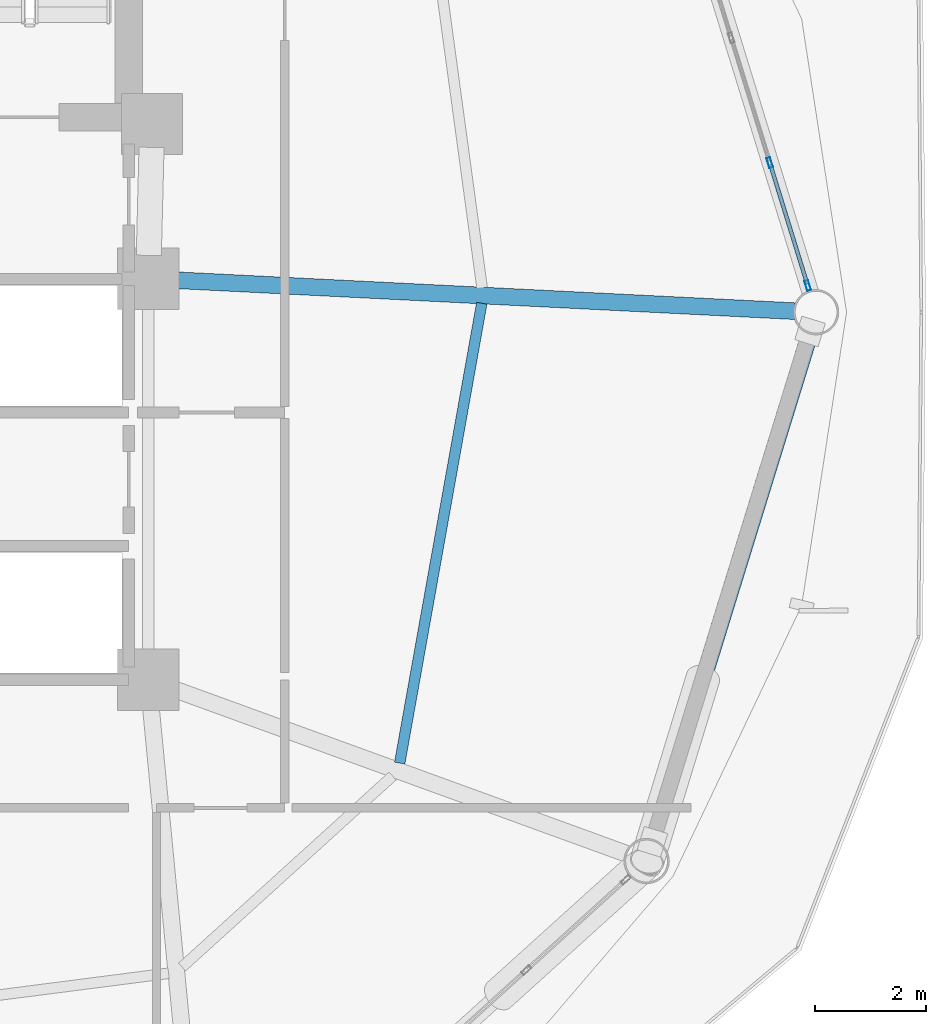
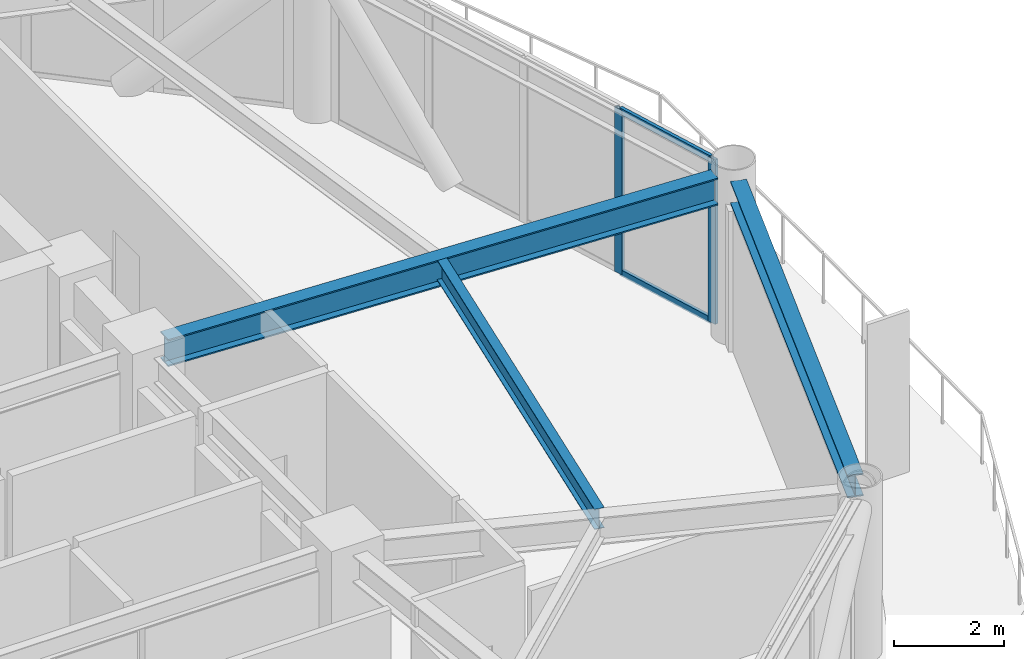
# One storey, part 12 of 23: 4 members, 3 beams, 1 element without a shape of its own.
"""IFC4 building model written with IfcOpenShell, lengths in metres."""

import ifcopenshell
import ifcopenshell.guid

model = None  # the IFC model being written
_history = None  # IfcOwnerHistory: only IFC2X3 demands one
_inside = {}  # id of a spatial element -> (the spatial element, [elements in it])
_under = {}  # id of a project, library or spatial element -> (it, [spatial elements below it])
_declared = {}  # id of a project -> (the project, [libraries it declares])
_typed = {}  # id of a type object -> (the type object, [elements of that type])
_made_of = {}  # id of a material, layer set ... -> (it, [elements and type objects made of it])


def new_model(schema):
    """Start an empty IFC model of exactly this schema.

    Asked for "IFC4X3", IfcOpenShell would pick the latest addendum, in which some entities
    have other attributes; the version numbers below select the first issue.
    IFC2X3 requires an IfcOwnerHistory on every rooted entity: one is made here for all.
    """
    global model, _history
    if schema == "IFC4X3":
        model = ifcopenshell.file(schema_version=(4, 3, 0, 0))
    else:
        model = ifcopenshell.file(schema=schema)
    _inside.clear()
    _under.clear()
    _declared.clear()
    _typed.clear()
    _made_of.clear()
    _history = None
    if model.schema == "IFC2X3":
        org = make("IfcOrganization", Name="unknown")
        user = make(
            "IfcPersonAndOrganization",
            ThePerson=make("IfcPerson", FamilyName="unknown"),
            TheOrganization=org,
        )
        app = make(
            "IfcApplication",
            ApplicationDeveloper=org,
            Version="unknown",
            ApplicationFullName="unknown",
            ApplicationIdentifier="unknown",
        )
        _history = make(
            "IfcOwnerHistory",
            OwningUser=user,
            OwningApplication=app,
            ChangeAction="ADDED",
            CreationDate=0,
        )
    return model


def make(cls, **values):
    """One entity of the class cls with the attributes given. An attribute that is None is left unset."""
    return model.create_entity(
        cls, **{name: value for name, value in values.items() if value is not None}
    )


def rooted(cls, **values):
    """An entity with a GlobalId (a new one), such as an element, a storey or a relation."""
    return make(cls, GlobalId=ifcopenshell.guid.new(), OwnerHistory=_history, **values)


def si_unit(unit_type, name, prefix=None):
    """IfcSIUnit, for example si_unit("LENGTHUNIT", "METRE", prefix="MILLI")."""
    return make("IfcSIUnit", UnitType=unit_type, Prefix=prefix, Name=name)


def assignment(units):
    """IfcUnitAssignment: the units of a project."""
    return None if units is None else make("IfcUnitAssignment", Units=units)


def point(xyz):
    """IfcCartesianPoint."""
    return None if xyz is None else make("IfcCartesianPoint", Coordinates=xyz)


def direction(xyz):
    """IfcDirection."""
    return None if xyz is None else make("IfcDirection", DirectionRatios=xyz)


def frame(location, z_axis=None, x_axis=None):
    """IfcAxis2Placement3D, a coordinate frame: its origin and axes. An axis left out is left unset."""
    return make(
        "IfcAxis2Placement3D",
        Location=point(location),
        Axis=direction(z_axis),
        RefDirection=direction(x_axis),
    )


def frame_2d(location, x_axis=None):
    """IfcAxis2Placement2D, a coordinate frame in the plane: its origin and x axis."""
    return make(
        "IfcAxis2Placement2D", Location=point(location), RefDirection=direction(x_axis)
    )


def origin():
    """The frame at (0, 0, 0) with its axes left unset."""
    return frame((0.0, 0.0, 0.0))


def origin_2d():
    """The frame at (0, 0) in the plane with its x axis left unset."""
    return frame_2d((0.0, 0.0))


def place(relative_to, where):
    """IfcLocalPlacement: puts the frame where relative to a parent placement (None: the world)."""
    return make(
        "IfcLocalPlacement", PlacementRelTo=relative_to, RelativePlacement=where
    )


def context(
    kind, dimensions, precision=None, world=None, true_north=None, identifier=None
):
    """IfcGeometricRepresentationContext, for example the 3D "Model" context."""
    return make(
        "IfcGeometricRepresentationContext",
        ContextIdentifier=identifier,
        ContextType=kind,
        CoordinateSpaceDimension=dimensions,
        Precision=precision,
        WorldCoordinateSystem=world,
        TrueNorth=true_north,
    )


def subcontext(parent, identifier, kind, view, scale=None):
    """IfcGeometricRepresentationSubContext, for example "Body" below "Model"."""
    return make(
        "IfcGeometricRepresentationSubContext",
        ContextIdentifier=identifier,
        ContextType=kind,
        ParentContext=parent,
        TargetScale=scale,
        TargetView=view,
    )


def project(units=None, contexts=None):
    """IfcProject with its units and contexts."""
    return rooted(
        "IfcProject",
        Name="project",
        RepresentationContexts=contexts,
        UnitsInContext=assignment(units),
    )


def spatial(cls, under=None, at=None, **own):
    """A site, building, storey or space (cls), placed at a placement, below another one or the project."""
    s = rooted(cls, ObjectPlacement=at, **own)
    if under is not None:
        _under.setdefault(under.id(), (under, []))[1].append(s)
    return s


def profile(cls, at=None, kind="AREA", **sizes):
    """A parametric profile (cls). Its sizes go by their IFC names, for example OverallWidth=200.0."""
    return make(cls, ProfileType=kind, Position=at, **sizes)


def hollow_rectangle(**sizes):
    """IfcRectangleHollowProfileDef."""
    return profile("IfcRectangleHollowProfileDef", **sizes)


def i_section(**sizes):
    """IfcIShapeProfileDef."""
    return profile("IfcIShapeProfileDef", **sizes)


def extrude(swept, where, along, depth):
    """IfcExtrudedAreaSolid: the profile swept, set in the frame where, extruded along a direction by depth."""
    return make(
        "IfcExtrudedAreaSolid",
        SweptArea=swept,
        Position=where,
        ExtrudedDirection=direction(along),
        Depth=depth,
    )


def shape(context_of_items, identifier, shape_type, items):
    """IfcShapeRepresentation: the items that make up one representation, for example the "Body"."""
    return make(
        "IfcShapeRepresentation",
        ContextOfItems=context_of_items,
        RepresentationIdentifier=identifier,
        RepresentationType=shape_type,
        Items=items,
    )


def material(Name=None, Category=None):
    """IfcMaterial."""
    return make("IfcMaterial", Name=Name, Category=Category)


def layer(
    of_material, thickness, ventilated=None, Name=None, Category=None, Priority=None
):
    """IfcMaterialLayer: one layer of a wall or slab, of a material (None: an air gap)."""
    return make(
        "IfcMaterialLayer",
        Material=of_material,
        LayerThickness=thickness,
        IsVentilated=ventilated,
        Name=Name,
        Category=Category,
        Priority=Priority,
    )


def layer_set(layers, Name=None):
    """IfcMaterialLayerSet."""
    return make("IfcMaterialLayerSet", MaterialLayers=layers, LayerSetName=Name)


def material_profile(
    of_material, cross_section, Name=None, Category=None, Priority=None
):
    """IfcMaterialProfile: a cross section and its material."""
    return make(
        "IfcMaterialProfile",
        Name=Name,
        Material=of_material,
        Profile=cross_section,
        Priority=Priority,
        Category=Category,
    )


def profile_set(profiles, Name=None, composite=None):
    """IfcMaterialProfileSet."""
    return make(
        "IfcMaterialProfileSet",
        Name=Name,
        MaterialProfiles=profiles,
        CompositeProfile=composite,
    )


def made_of(thing, what):
    """Note that an element or type object is made of a material, layer set ...; save() writes the relation."""
    if what is not None:
        _made_of.setdefault(what.id(), (what, []))[1].append(thing)
    return thing


def type_object(cls, material=None, **own):
    """A type object (cls), such as IfcWallType, which elements share."""
    return made_of(rooted(cls, **own), material)


def element(
    cls,
    number,
    at=None,
    inside=None,
    cuts=None,
    type_object=None,
    material=None,
    context=None,
    identifier="Body",
    shape_type=None,
    held_by="IfcProductDefinitionShape",
    body=None,
    shapes=None,
    **own,
):
    """One element of the class cls, such as IfcWall. Its Tag is "e" and its number.

    at: its placement. inside: the storey or other place that contains it. cuts: it is an
    opening in that element (IfcRelVoidsElement). A single representation is given by context,
    identifier, shape_type and body (its items); several are given by shapes. held_by: the class
    of the entity that holds the representations. save() writes the other relations.
    """
    e = rooted(cls, Tag="e%d" % number, ObjectPlacement=at, **own)
    if body is not None:
        shapes = [shape(context, identifier, shape_type, body)]
    if shapes is not None:
        e.Representation = make(held_by, Representations=shapes)
    if inside is not None:
        _inside.setdefault(inside.id(), (inside, []))[1].append(e)
    if cuts is not None:
        rooted(
            "IfcRelVoidsElement", RelatingBuildingElement=cuts, RelatedOpeningElement=e
        )
    if type_object is not None:
        _typed.setdefault(type_object.id(), (type_object, []))[1].append(e)
    return made_of(e, material)


def aggregate(whole, parts):
    """IfcRelAggregates: a whole, such as a stair, and the parts it consists of."""
    return rooted("IfcRelAggregates", RelatingObject=whole, RelatedObjects=parts)


def save(model, path):
    """Write the relations noted so far, then the file.

    IfcRelAggregates (storeys below a building ...), IfcRelContainedInSpatialStructure (elements
    in a storey), IfcRelDefinesByType, IfcRelAssociatesMaterial and IfcRelDeclares: one each for
    every whole, place, type object, material and project.
    """
    for whole, parts in _under.values():
        aggregate(whole, parts)
    for where, things in _inside.values():
        rooted(
            "IfcRelContainedInSpatialStructure",
            RelatedElements=things,
            RelatingStructure=where,
        )
    for kind, things in _typed.values():
        rooted("IfcRelDefinesByType", RelatedObjects=things, RelatingType=kind)
    for what, things in _made_of.values():
        rooted("IfcRelAssociatesMaterial", RelatedObjects=things, RelatingMaterial=what)
    for by, libraries in _declared.values():
        rooted("IfcRelDeclares", RelatingContext=by, RelatedDefinitions=libraries)
    model.write(path)


model = new_model("IFC4")

# Units and contexts
model_context = context("Model", 3, precision=1e-05, world=origin(), true_north=direction((0.0, 1.0)))
body_context = subcontext(model_context, "Body", "Model", "MODEL_VIEW")
ifc_project = project(units=[si_unit("LENGTHUNIT", "METRE"), si_unit("AREAUNIT", "SQUARE_METRE"), si_unit("VOLUMEUNIT", "CUBIC_METRE"), si_unit("PLANEANGLEUNIT", "RADIAN"), si_unit("MASSUNIT", "GRAM", prefix="KILO")], contexts=[model_context])

# Site, building, storey
site_placement = place(None, origin())
site = spatial("IfcSite", under=ifc_project, at=site_placement, CompositionType="ELEMENT")
building_placement = place(site_placement, origin())
building = spatial("IfcBuilding", under=site, at=building_placement, Name="Varnakorn Sky Granary", CompositionType="ELEMENT")
storey_placement = place(building_placement, frame((0.0, 0.0, 83.699951171875)))
storey = spatial("IfcBuildingStorey", under=building, at=storey_placement, Name="L20", CompositionType="ELEMENT", Elevation=83.699951171875)

# Beams
ifc_material_1 = material(Name="Steel S355JR", Category="steel")
ifc_material_profile_1 = material_profile(ifc_material_1, i_section(OverallWidth=0.300048828125, OverallDepth=0.60009765625, WebThickness=0.015380859375, FlangeThickness=0.030029296875, at=origin_2d()), Name="HE 600 B")
ifc_profile_set_1 = profile_set([ifc_material_profile_1], Name="Steel S355JR")
beam_type_1 = type_object("IfcBeamType", Name="BM-RAD-Z2", PredefinedType="BEAM", material=ifc_profile_set_1)
beam_1_placement = place(storey_placement, frame((8.76953125, 0.5791015625, 3.340087890625), z_axis=(0.998751904095, -0.049946311839, 0.0), x_axis=(0.049946311839, 0.998751904095, 0.0)))
element("IfcBeam", 1, at=beam_1_placement, inside=storey, type_object=beam_type_1, Name="Radial Floor Girder RG01 L20", PredefinedType="BEAM", context=body_context, shape_type="SweptSolid", body=[
    extrude(i_section(OverallWidth=0.300048828125, OverallDepth=0.60009765625, WebThickness=0.015380859375, FlangeThickness=0.030029296875, at=origin_2d()), origin(), (0.0, 0.0, 1.0), 11.203369140625),
])
ifc_material_profile_2 = material_profile(ifc_material_1, i_section(OverallWidth=0.18994140625, OverallDepth=0.449951171875, WebThickness=0.009521484375, FlangeThickness=0.0146484375, at=origin_2d()), Name="IPE 450")
ifc_profile_set_2 = profile_set([ifc_material_profile_2], Name="Steel S355JR")
beam_type_2 = type_object("IfcBeamType", Name="BM-SEC-Z2", PredefinedType="BEAM", material=ifc_profile_set_2)
beam_2_placement = place(storey_placement, frame((12.86572265625, -8.095703125, 3.4150390625), z_axis=(0.175716090737, 0.984440884694, 0.0), x_axis=(-0.984440884694, 0.175716090737, 0.0)))
element("IfcBeam", 2, at=beam_2_placement, inside=storey, type_object=beam_type_2, Name="Secondary Floor Chord Beam MSB12 L20", PredefinedType="BEAM", context=body_context, shape_type="SweptSolid", body=[
    extrude(i_section(OverallWidth=0.18994140625, OverallDepth=0.449951171875, WebThickness=0.009521484375, FlangeThickness=0.0146484375, at=origin_2d()), origin(), (0.0, 0.0, 1.0), 8.387939453125),
])
ifc_material_profile_3 = material_profile(ifc_material_1, i_section(OverallWidth=0.300048828125, OverallDepth=0.5, WebThickness=0.014404296875, FlangeThickness=0.028076171875, at=origin_2d()), Name="HE 500 B")
ifc_profile_set_3 = profile_set([ifc_material_profile_3], Name="Steel S355JR")
beam_type_3 = type_object("IfcBeamType", Name="BM-SPD-Z2", PredefinedType="SPANDREL", material=ifc_profile_set_3)
beam_3_placement = place(storey_placement, frame((17.421142578125, -9.4833984375, 3.39013671875), z_axis=(0.295100569663, 0.955466197091, 0.0), x_axis=(-0.955466197091, 0.295100569663, 0.0)))
element("IfcBeam", 3, at=beam_3_placement, inside=storey, type_object=beam_type_3, Name="Perimeter Spandrel Ring Beam RB12 L20", PredefinedType="SPANDREL", context=body_context, shape_type="SweptSolid", body=[
    extrude(i_section(OverallWidth=0.300048828125, OverallDepth=0.5, WebThickness=0.014404296875, FlangeThickness=0.028076171875, at=origin_2d()), origin(), (0.0, 0.0, 1.0), 9.533935546875),
])

# Curtain wall, members
ifc_material_2 = material(Name="Anodised Bronze Aluminium Alloy 6063-T6", Category="aluminium")
ifc_layer = layer(ifc_material_2, 0.18994140625, Name="Anodised Bronze Aluminium Alloy 6063-T6")
ifc_layer_set = layer_set([ifc_layer], Name="Anodised Bronze Aluminium Alloy 6063-T6")
curtain_wall_type = type_object("IfcCurtainWallType", Name="CW-FRM-1", PredefinedType="USERDEFINED", material=ifc_layer_set)
curtain_wall_placement = place(storey_placement, origin())
curtain_wall = element("IfcCurtainWall", 4, at=curtain_wall_placement, inside=storey, type_object=curtain_wall_type, Name="Unitised Curtain Wall CW3 CW-L20-B01", ObjectType="CURTAIN WALL", PredefinedType="USERDEFINED")
ifc_material_profile_4 = material_profile(ifc_material_2, hollow_rectangle(XDim=0.070068359375, YDim=0.18505859375, WallThickness=0.00390625, at=origin_2d()), Name="ALU MULL 70x185")
ifc_profile_set_4 = profile_set([ifc_material_profile_4], Name="Anodised Bronze Aluminium Alloy 6063-T6")
member_type_1 = type_object("IfcMemberType", Name="CW-FRM-1-MULL", PredefinedType="MULLION", material=ifc_profile_set_4)
member_1_placement = place(storey_placement, frame((19.510498046875, 2.686279296875, 0.0), z_axis=(0.0, 0.0, 1.0), x_axis=(0.955474912193, 0.295072350738, 0.0)))
member_1 = element("IfcMember", 5, at=member_1_placement, type_object=member_type_1, Name="CW3 mullion 4", PredefinedType="MULLION", context=body_context, shape_type="SweptSolid", body=[
    extrude(hollow_rectangle(XDim=0.070068359375, YDim=0.18505859375, WallThickness=0.00390625, at=origin_2d()), origin(), (0.0, 0.0, 1.0), 3.64013671875),
])
member_2_placement = place(storey_placement, frame((20.192138671875, 0.479248046875, 0.0), z_axis=(0.0, 0.0, 1.0), x_axis=(0.955474912193, 0.295072350738, 0.0)))
member_2 = element("IfcMember", 6, at=member_2_placement, type_object=member_type_1, Name="CW3 mullion 5", PredefinedType="MULLION", context=body_context, shape_type="SweptSolid", body=[
    extrude(hollow_rectangle(XDim=0.070068359375, YDim=0.18505859375, WallThickness=0.00390625, at=origin_2d()), origin(), (0.0, 0.0, 1.0), 3.64013671875),
])
ifc_material_profile_5 = material_profile(ifc_material_2, hollow_rectangle(XDim=0.070068359375, YDim=0.139892578125, WallThickness=0.00341796875, at=origin_2d()), Name="ALU TRAN 70x140")
ifc_profile_set_5 = profile_set([ifc_material_profile_5], Name="Anodised Bronze Aluminium Alloy 6063-T6")
member_type_2 = type_object("IfcMemberType", Name="CW-FRM-1-TRAN", PredefinedType="USERDEFINED", material=ifc_profile_set_5)
member_3_placement = place(storey_placement, frame((19.520751953125, 2.65283203125, 0.03515625), z_axis=(0.295058432825, -0.955479210249, 0.0), x_axis=(0.955479210249, 0.295058432825, 0.0)))
member_3 = element("IfcMember", 7, at=member_3_placement, type_object=member_type_2, Name="CW3 transom 4.1", ObjectType="TRANSOM", PredefinedType="USERDEFINED", context=body_context, shape_type="SweptSolid", body=[
    extrude(hollow_rectangle(XDim=0.070068359375, YDim=0.139892578125, WallThickness=0.00341796875, at=origin_2d()), origin(), (0.0, 0.0, 1.0), 2.23974609375),
])
member_4_placement = place(storey_placement, frame((19.520751953125, 2.65283203125, 3.60498046875), z_axis=(0.295058432825, -0.955479210249, 0.0), x_axis=(0.955479210249, 0.295058432825, 0.0)))
member_4 = element("IfcMember", 8, at=member_4_placement, type_object=member_type_2, Name="CW3 transom 4.2", ObjectType="TRANSOM", PredefinedType="USERDEFINED", context=body_context, shape_type="SweptSolid", body=[
    extrude(hollow_rectangle(XDim=0.070068359375, YDim=0.139892578125, WallThickness=0.00341796875, at=origin_2d()), origin(), (0.0, 0.0, 1.0), 2.23974609375),
])
aggregate(curtain_wall, [member_1, member_2, member_3, member_4])

save(model, "model.ifc")
